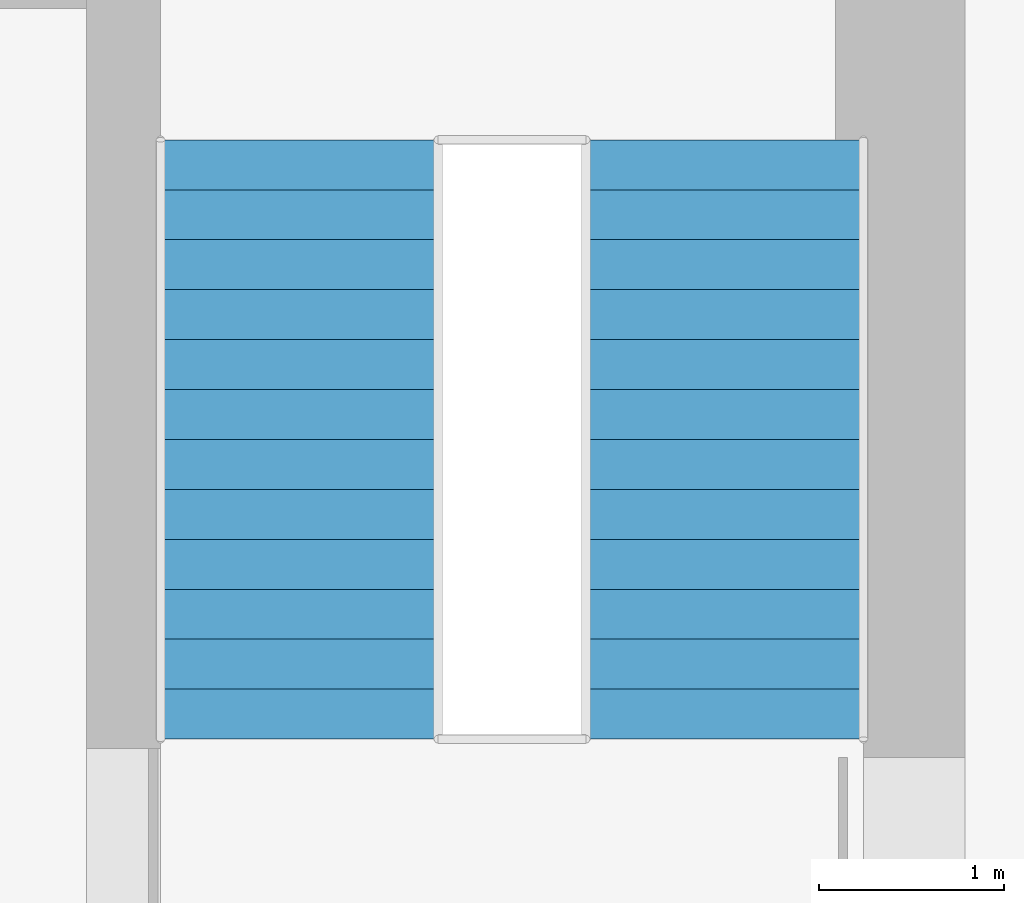
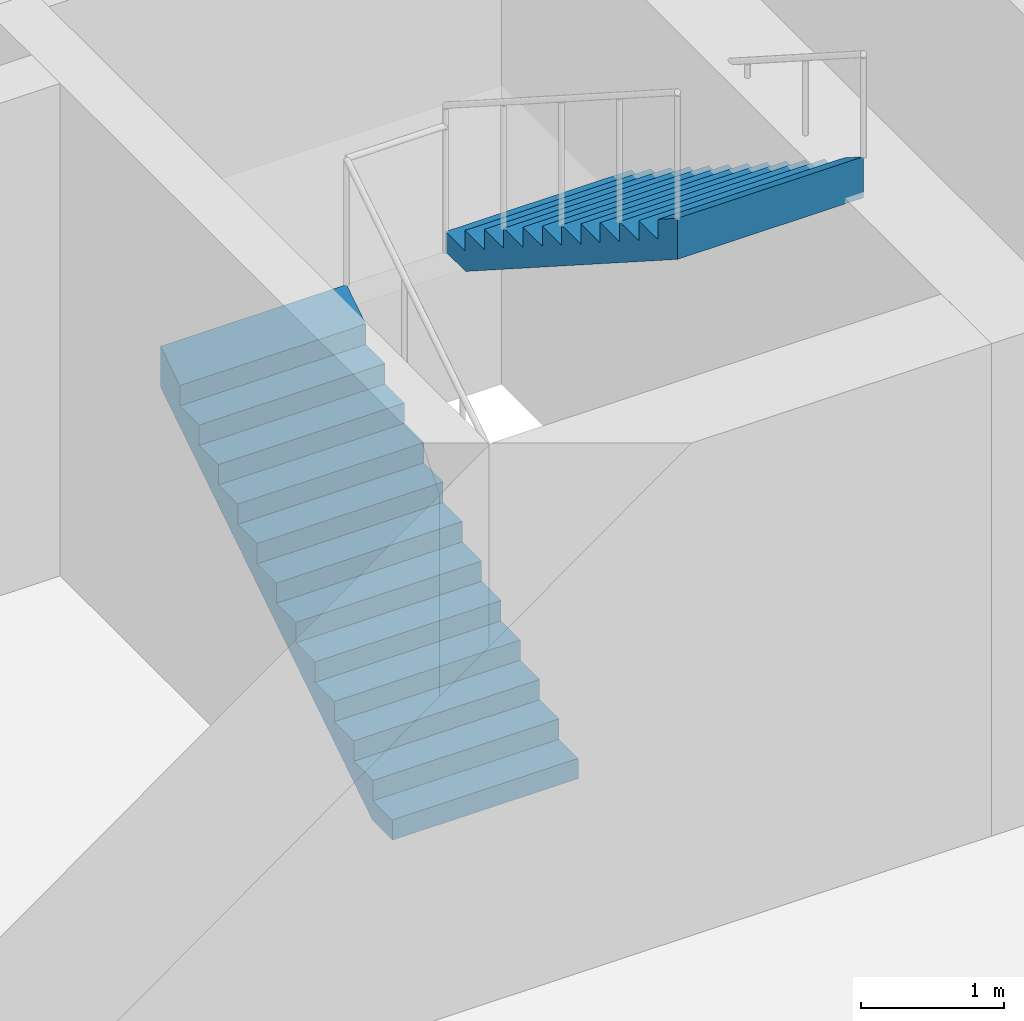
# One storey, part 6 of 9: 2 stair flights, 1 element without a shape of its own.
"""IFC4 building model written with IfcOpenShell, lengths in metres."""

from ifc_helpers import new_model, si_unit, direction, frame, origin, place, context, subcontext, project, spatial, triangles, material, type_object, element, aggregate, save


model = new_model("IFC4")

# Units and contexts
model_context = context("Model", 3, precision=1e-05, world=origin(), true_north=direction((0.0, 1.0)))
body_context = subcontext(model_context, "Body", "Model", "MODEL_VIEW")
ifc_project = project(units=[si_unit("LENGTHUNIT", "METRE"), si_unit("AREAUNIT", "SQUARE_METRE"), si_unit("VOLUMEUNIT", "CUBIC_METRE"), si_unit("PLANEANGLEUNIT", "RADIAN"), si_unit("MASSUNIT", "GRAM", prefix="KILO")], contexts=[model_context])

# Site, building, storey
site_placement = place(None, origin())
site = spatial("IfcSite", under=ifc_project, at=site_placement, CompositionType="ELEMENT")
building_placement = place(site_placement, origin())
building = spatial("IfcBuilding", under=site, at=building_placement, Name="Ludao Terraces", CompositionType="ELEMENT")
storey_placement = place(building_placement, frame((0.0, 0.0, 95.39990234375)))
storey = spatial("IfcBuildingStorey", under=building, at=storey_placement, Name="L26", CompositionType="ELEMENT", Elevation=95.39990234375)

# Stair, stair flights
ifc_material = material(Name="Concrete C40", Category="concrete")
stair_type = type_object("IfcStairType", Name="INT Stair", PredefinedType="HALF_TURN_STAIR", material=ifc_material)
stair_placement = place(storey_placement, origin())
stair = element("IfcStair", 1, at=stair_placement, inside=storey, type_object=stair_type, Name="EXIT STAIR 3", PredefinedType="HALF_TURN_STAIR")
stair_flight_type = type_object("IfcStairFlightType", Name="INT Stair flight", PredefinedType="STRAIGHT", material=ifc_material)
stair_flight_1_placement = place(storey_placement, frame((91.5, 56.949951171875, 0.0), z_axis=(0.0, 0.0, 1.0), x_axis=(0.0, 1.0, 0.0)))
stair_flight_1 = element("IfcStairFlight", 2, at=stair_flight_1_placement, type_object=stair_flight_type, Name="ST3 flight 1", NumberOfRisers=13, NumberOfTreads=12, PredefinedType="STRAIGHT", RiserHeight=0.173077, TreadLength=0.27, context=body_context, shape_type="Tessellation", body=[
    triangles([(0.0, -0.75, 0.0), (0.0, -0.5, 0.0), (0.0, -0.25, 0.0), (0.0, 0.0, 0.0), (0.0, 0.25, 0.0), (0.0, 0.5, 0.0), (0.0, 0.75, 0.0), (0.0, -0.75, 0.173095703125), (0.0, -0.5, 0.173095703125), (0.0, -0.25, 0.173095703125), (0.0, 0.0, 0.173095703125), (0.0, 0.25, 0.173095703125), (0.0, 0.5, 0.173095703125), (0.0, 0.75, 0.173095703125), (0.27001953125, -0.75, 0.173095703125), (0.27001953125, -0.5, 0.173095703125), (0.27001953125, -0.25, 0.173095703125), (0.27001953125, 0.0, 0.173095703125), (0.27001953125, 0.25, 0.173095703125), (0.27001953125, 0.5, 0.173095703125), (0.27001953125, 0.75, 0.173095703125), (0.27001953125, -0.75, 0.34619140625), (0.27001953125, -0.5, 0.34619140625), (0.27001953125, -0.25, 0.34619140625), (0.27001953125, 0.0, 0.34619140625), (0.27001953125, 0.25, 0.34619140625), (0.27001953125, 0.5, 0.34619140625), (0.27001953125, 0.75, 0.34619140625), (0.5400390625, -0.75, 0.34619140625), (0.5400390625, -0.5, 0.34619140625), (0.5400390625, -0.25, 0.34619140625), (0.5400390625, 0.0, 0.34619140625), (0.5400390625, 0.25, 0.34619140625), (0.5400390625, 0.5, 0.34619140625), (0.5400390625, 0.75, 0.34619140625), (0.5400390625, -0.75, 0.519287109375), (0.5400390625, -0.5, 0.519287109375), (0.5400390625, -0.25, 0.519287109375), (0.5400390625, 0.0, 0.519287109375), (0.5400390625, 0.25, 0.519287109375), (0.5400390625, 0.5, 0.519287109375), (0.5400390625, 0.75, 0.519287109375), (0.81005859375, -0.75, 0.519287109375), (0.81005859375, -0.5, 0.519287109375), (0.81005859375, -0.25, 0.519287109375), (0.81005859375, 0.0, 0.519287109375), (0.81005859375, 0.25, 0.519287109375), (0.81005859375, 0.5, 0.519287109375), (0.81005859375, 0.75, 0.519287109375), (0.81005859375, -0.75, 0.6923828125), (0.81005859375, -0.5, 0.6923828125), (0.81005859375, -0.25, 0.6923828125), (0.81005859375, 0.0, 0.6923828125), (0.81005859375, 0.25, 0.6923828125), (0.81005859375, 0.5, 0.6923828125), (0.81005859375, 0.75, 0.6923828125), (1.080078125, -0.75, 0.6923828125), (1.080078125, -0.5, 0.6923828125), (1.080078125, -0.25, 0.6923828125), (1.080078125, 0.0, 0.6923828125), (1.080078125, 0.25, 0.6923828125), (1.080078125, 0.5, 0.6923828125), (1.080078125, 0.75, 0.6923828125), (1.080078125, -0.75, 0.865478515625), (1.080078125, -0.5, 0.865478515625), (1.080078125, -0.25, 0.865478515625), (1.080078125, 0.0, 0.865478515625), (1.080078125, 0.25, 0.865478515625), (1.080078125, 0.5, 0.865478515625), (1.080078125, 0.75, 0.865478515625), (1.35009765625, -0.75, 0.865478515625), (1.35009765625, -0.5, 0.865478515625), (1.35009765625, -0.25, 0.865478515625), (1.35009765625, 0.0, 0.865478515625), (1.35009765625, 0.25, 0.865478515625), (1.35009765625, 0.5, 0.865478515625), (1.35009765625, 0.75, 0.865478515625), (1.35009765625, -0.75, 1.03857421875), (1.35009765625, -0.5, 1.03857421875), (1.35009765625, -0.25, 1.03857421875), (1.35009765625, 0.0, 1.03857421875), (1.35009765625, 0.25, 1.03857421875), (1.35009765625, 0.5, 1.03857421875), (1.35009765625, 0.75, 1.03857421875), (1.6201171875, -0.75, 1.03857421875), (1.6201171875, -0.5, 1.03857421875), (1.6201171875, -0.25, 1.03857421875), (1.6201171875, 0.0, 1.03857421875), (1.6201171875, 0.25, 1.03857421875), (1.6201171875, 0.5, 1.03857421875), (1.6201171875, 0.75, 1.03857421875), (1.6201171875, -0.75, 1.21142578125), (1.6201171875, -0.5, 1.21142578125), (1.6201171875, -0.25, 1.21142578125), (1.6201171875, 0.0, 1.21142578125), (1.6201171875, 0.25, 1.21142578125), (1.6201171875, 0.5, 1.21142578125), (1.6201171875, 0.75, 1.21142578125), (1.889892578125, -0.75, 1.21142578125), (1.889892578125, -0.5, 1.21142578125), (1.889892578125, -0.25, 1.21142578125), (1.889892578125, 0.0, 1.21142578125), (1.889892578125, 0.25, 1.21142578125), (1.889892578125, 0.5, 1.21142578125), (1.889892578125, 0.75, 1.21142578125), (1.889892578125, -0.75, 1.384521484375), (1.889892578125, -0.5, 1.384521484375), (1.889892578125, -0.25, 1.384521484375), (1.889892578125, 0.0, 1.384521484375), (1.889892578125, 0.25, 1.384521484375), (1.889892578125, 0.5, 1.384521484375), (1.889892578125, 0.75, 1.384521484375), (2.159912109375, -0.75, 1.384521484375), (2.159912109375, -0.5, 1.384521484375), (2.159912109375, -0.25, 1.384521484375), (2.159912109375, 0.0, 1.384521484375), (2.159912109375, 0.25, 1.384521484375), (2.159912109375, 0.5, 1.384521484375), (2.159912109375, 0.75, 1.384521484375), (2.159912109375, -0.75, 1.5576171875), (2.159912109375, -0.5, 1.5576171875), (2.159912109375, -0.25, 1.5576171875), (2.159912109375, 0.0, 1.5576171875), (2.159912109375, 0.25, 1.5576171875), (2.159912109375, 0.5, 1.5576171875), (2.159912109375, 0.75, 1.5576171875), (2.429931640625, -0.75, 1.5576171875), (2.429931640625, -0.5, 1.5576171875), (2.429931640625, -0.25, 1.5576171875), (2.429931640625, 0.0, 1.5576171875), (2.429931640625, 0.25, 1.5576171875), (2.429931640625, 0.5, 1.5576171875), (2.429931640625, 0.75, 1.5576171875), (2.429931640625, -0.75, 1.730712890625), (2.429931640625, -0.5, 1.730712890625), (2.429931640625, -0.25, 1.730712890625), (2.429931640625, 0.0, 1.730712890625), (2.429931640625, 0.25, 1.730712890625), (2.429931640625, 0.5, 1.730712890625), (2.429931640625, 0.75, 1.730712890625), (2.699951171875, -0.75, 1.730712890625), (2.699951171875, -0.5, 1.730712890625), (2.699951171875, -0.25, 1.730712890625), (2.699951171875, 0.0, 1.730712890625), (2.699951171875, 0.25, 1.730712890625), (2.699951171875, 0.5, 1.730712890625), (2.699951171875, 0.75, 1.730712890625), (2.699951171875, -0.75, 1.90380859375), (2.699951171875, -0.5, 1.90380859375), (2.699951171875, -0.25, 1.90380859375), (2.699951171875, 0.0, 1.90380859375), (2.699951171875, 0.25, 1.90380859375), (2.699951171875, 0.5, 1.90380859375), (2.699951171875, 0.75, 1.90380859375), (2.969970703125, -0.75, 1.90380859375), (2.969970703125, -0.5, 1.90380859375), (2.969970703125, -0.25, 1.90380859375), (2.969970703125, 0.0, 1.90380859375), (2.969970703125, 0.25, 1.90380859375), (2.969970703125, 0.5, 1.90380859375), (2.969970703125, 0.75, 1.90380859375), (2.969970703125, -0.75, 2.076904296875), (2.969970703125, -0.5, 2.076904296875), (2.969970703125, -0.25, 2.076904296875), (2.969970703125, 0.0, 2.076904296875), (2.969970703125, 0.25, 2.076904296875), (2.969970703125, 0.5, 2.076904296875), (2.969970703125, 0.75, 2.076904296875), (3.239990234375, -0.75, 2.25), (3.239990234375, -0.5, 2.25), (3.239990234375, -0.25, 2.25), (3.239990234375, 0.0, 2.25), (3.239990234375, 0.25, 2.25), (3.239990234375, 0.5, 2.25), (3.239990234375, 0.75, 2.25), (3.239990234375, -0.75, 1.89892578125), (3.239990234375, -0.5, 1.89892578125), (3.239990234375, -0.25, 1.89892578125), (3.239990234375, 0.0, 1.89892578125), (3.239990234375, 0.25, 1.89892578125), (3.239990234375, 0.5, 1.89892578125), (3.239990234375, 0.75, 1.89892578125), (0.27783203125, -0.75, 0.0), (0.27783203125, -0.5, 0.0), (0.27783203125, -0.25, 0.0), (0.27783203125, 0.0, 0.0), (0.27783203125, 0.25, 0.0), (0.27783203125, 0.5, 0.0), (0.27783203125, 0.75, 0.0)], [[1, 183, 176], [7, 182, 189], [176, 169, 162], [182, 168, 175], [176, 162, 155], [182, 161, 168], [176, 155, 148], [182, 154, 161], [176, 148, 141], [182, 147, 154], [141, 134, 127], [147, 133, 140], [176, 141, 127], [182, 133, 147], [127, 120, 113], [133, 119, 126], [176, 127, 113], [182, 119, 133], [113, 106, 99], [119, 105, 112], [176, 113, 99], [182, 105, 119], [1, 176, 99], [7, 105, 182], [99, 92, 85], [105, 91, 98], [85, 78, 71], [91, 77, 84], [99, 85, 71], [105, 77, 91], [71, 64, 57], [77, 63, 70], [99, 71, 57], [105, 63, 77], [57, 50, 43], [63, 49, 56], [99, 57, 43], [105, 49, 63], [43, 36, 29], [49, 35, 42], [99, 43, 29], [105, 35, 49], [29, 22, 15], [35, 21, 28], [99, 29, 15], [105, 21, 35], [1, 99, 15], [7, 21, 105], [15, 8, 1], [21, 7, 14], [1, 9, 2], [1, 8, 9], [2, 10, 3], [2, 9, 10], [3, 11, 4], [3, 10, 11], [4, 12, 5], [4, 11, 12], [5, 13, 6], [5, 12, 13], [6, 14, 7], [6, 13, 14], [8, 16, 9], [8, 15, 16], [9, 17, 10], [9, 16, 17], [10, 18, 11], [10, 17, 18], [11, 19, 12], [11, 18, 19], [12, 20, 13], [12, 19, 20], [13, 21, 14], [13, 20, 21], [15, 23, 16], [15, 22, 23], [16, 24, 17], [16, 23, 24], [17, 25, 18], [17, 24, 25], [18, 26, 19], [18, 25, 26], [19, 27, 20], [19, 26, 27], [20, 28, 21], [20, 27, 28], [22, 30, 23], [22, 29, 30], [23, 31, 24], [23, 30, 31], [24, 32, 25], [24, 31, 32], [25, 33, 26], [25, 32, 33], [26, 34, 27], [26, 33, 34], [27, 35, 28], [27, 34, 35], [29, 37, 30], [29, 36, 37], [30, 38, 31], [30, 37, 38], [31, 39, 32], [31, 38, 39], [32, 40, 33], [32, 39, 40], [33, 41, 34], [33, 40, 41], [34, 42, 35], [34, 41, 42], [36, 44, 37], [36, 43, 44], [37, 45, 38], [37, 44, 45], [38, 46, 39], [38, 45, 46], [39, 47, 40], [39, 46, 47], [40, 48, 41], [40, 47, 48], [41, 49, 42], [41, 48, 49], [43, 51, 44], [43, 50, 51], [44, 52, 45], [44, 51, 52], [45, 53, 46], [45, 52, 53], [46, 54, 47], [46, 53, 54], [47, 55, 48], [47, 54, 55], [48, 56, 49], [48, 55, 56], [50, 58, 51], [50, 57, 58], [51, 59, 52], [51, 58, 59], [52, 60, 53], [52, 59, 60], [53, 61, 54], [53, 60, 61], [54, 62, 55], [54, 61, 62], [55, 63, 56], [55, 62, 63], [57, 65, 58], [57, 64, 65], [58, 66, 59], [58, 65, 66], [59, 67, 60], [59, 66, 67], [60, 68, 61], [60, 67, 68], [61, 69, 62], [61, 68, 69], [62, 70, 63], [62, 69, 70], [64, 72, 65], [64, 71, 72], [65, 73, 66], [65, 72, 73], [66, 74, 67], [66, 73, 74], [67, 75, 68], [67, 74, 75], [68, 76, 69], [68, 75, 76], [69, 77, 70], [69, 76, 77], [71, 79, 72], [71, 78, 79], [72, 80, 73], [72, 79, 80], [73, 81, 74], [73, 80, 81], [74, 82, 75], [74, 81, 82], [75, 83, 76], [75, 82, 83], [76, 84, 77], [76, 83, 84], [78, 86, 79], [78, 85, 86], [79, 87, 80], [79, 86, 87], [80, 88, 81], [80, 87, 88], [81, 89, 82], [81, 88, 89], [82, 90, 83], [82, 89, 90], [83, 91, 84], [83, 90, 91], [85, 93, 86], [85, 92, 93], [86, 94, 87], [86, 93, 94], [87, 95, 88], [87, 94, 95], [88, 96, 89], [88, 95, 96], [89, 97, 90], [89, 96, 97], [90, 98, 91], [90, 97, 98], [92, 100, 93], [92, 99, 100], [93, 101, 94], [93, 100, 101], [94, 102, 95], [94, 101, 102], [95, 103, 96], [95, 102, 103], [96, 104, 97], [96, 103, 104], [97, 105, 98], [97, 104, 105], [99, 107, 100], [99, 106, 107], [100, 108, 101], [100, 107, 108], [101, 109, 102], [101, 108, 109], [102, 110, 103], [102, 109, 110], [103, 111, 104], [103, 110, 111], [104, 112, 105], [104, 111, 112], [106, 114, 107], [106, 113, 114], [107, 115, 108], [107, 114, 115], [108, 116, 109], [108, 115, 116], [109, 117, 110], [109, 116, 117], [110, 118, 111], [110, 117, 118], [111, 119, 112], [111, 118, 119], [113, 121, 114], [113, 120, 121], [114, 122, 115], [114, 121, 122], [115, 123, 116], [115, 122, 123], [116, 124, 117], [116, 123, 124], [117, 125, 118], [117, 124, 125], [118, 126, 119], [118, 125, 126], [120, 128, 121], [120, 127, 128], [121, 129, 122], [121, 128, 129], [122, 130, 123], [122, 129, 130], [123, 131, 124], [123, 130, 131], [124, 132, 125], [124, 131, 132], [125, 133, 126], [125, 132, 133], [127, 135, 128], [127, 134, 135], [128, 136, 129], [128, 135, 136], [129, 137, 130], [129, 136, 137], [130, 138, 131], [130, 137, 138], [131, 139, 132], [131, 138, 139], [132, 140, 133], [132, 139, 140], [134, 142, 135], [134, 141, 142], [135, 143, 136], [135, 142, 143], [136, 144, 137], [136, 143, 144], [137, 145, 138], [137, 144, 145], [138, 146, 139], [138, 145, 146], [139, 147, 140], [139, 146, 147], [141, 149, 142], [141, 148, 149], [142, 150, 143], [142, 149, 150], [143, 151, 144], [143, 150, 151], [144, 152, 145], [144, 151, 152], [145, 153, 146], [145, 152, 153], [146, 154, 147], [146, 153, 154], [148, 156, 149], [148, 155, 156], [149, 157, 150], [149, 156, 157], [150, 158, 151], [150, 157, 158], [151, 159, 152], [151, 158, 159], [152, 160, 153], [152, 159, 160], [153, 161, 154], [153, 160, 161], [155, 163, 156], [155, 162, 163], [156, 164, 157], [156, 163, 164], [157, 165, 158], [157, 164, 165], [158, 166, 159], [158, 165, 166], [159, 167, 160], [159, 166, 167], [160, 168, 161], [160, 167, 168], [162, 170, 163], [162, 169, 170], [163, 171, 164], [163, 170, 171], [164, 172, 165], [164, 171, 172], [165, 173, 166], [165, 172, 173], [166, 174, 167], [166, 173, 174], [167, 175, 168], [167, 174, 175], [169, 177, 170], [169, 176, 177], [170, 178, 171], [170, 177, 178], [171, 179, 172], [171, 178, 179], [172, 180, 173], [172, 179, 180], [173, 181, 174], [173, 180, 181], [174, 182, 175], [174, 181, 182], [176, 184, 177], [176, 183, 184], [177, 185, 178], [177, 184, 185], [178, 186, 179], [178, 185, 186], [179, 187, 180], [179, 186, 187], [180, 188, 181], [180, 187, 188], [181, 189, 182], [181, 188, 189], [183, 2, 184], [183, 1, 2], [184, 3, 185], [184, 2, 3], [185, 4, 186], [185, 3, 4], [186, 5, 187], [186, 4, 5], [187, 6, 188], [187, 5, 6], [188, 7, 189], [188, 6, 7]], closed=True),
])
stair_flight_2_placement = place(storey_placement, frame((93.800048828125, 60.18994140625, 2.25), z_axis=(0.0, 0.0, 1.0), x_axis=(0.0, -1.0, 0.0)))
stair_flight_2 = element("IfcStairFlight", 3, at=stair_flight_2_placement, type_object=stair_flight_type, Name="ST3 flight 2", NumberOfRisers=13, NumberOfTreads=12, PredefinedType="STRAIGHT", RiserHeight=0.173077, TreadLength=0.27, context=body_context, shape_type="Tessellation", body=[
    triangles([(0.0, -0.75, 0.0), (0.0, -0.5, 0.0), (0.0, -0.25, 0.0), (0.0, 0.0, 0.0), (0.0, 0.25, 0.0), (0.0, 0.5, 0.0), (0.0, 0.75, 0.0), (0.0, -0.75, 0.173095703125), (0.0, -0.5, 0.173095703125), (0.0, -0.25, 0.173095703125), (0.0, 0.0, 0.173095703125), (0.0, 0.25, 0.173095703125), (0.0, 0.5, 0.173095703125), (0.0, 0.75, 0.173095703125), (0.27001953125, -0.75, 0.173095703125), (0.27001953125, -0.5, 0.173095703125), (0.27001953125, -0.25, 0.173095703125), (0.27001953125, 0.0, 0.173095703125), (0.27001953125, 0.25, 0.173095703125), (0.27001953125, 0.5, 0.173095703125), (0.27001953125, 0.75, 0.173095703125), (0.27001953125, -0.75, 0.34619140625), (0.27001953125, -0.5, 0.34619140625), (0.27001953125, -0.25, 0.34619140625), (0.27001953125, 0.0, 0.34619140625), (0.27001953125, 0.25, 0.34619140625), (0.27001953125, 0.5, 0.34619140625), (0.27001953125, 0.75, 0.34619140625), (0.5400390625, -0.75, 0.34619140625), (0.5400390625, -0.5, 0.34619140625), (0.5400390625, -0.25, 0.34619140625), (0.5400390625, 0.0, 0.34619140625), (0.5400390625, 0.25, 0.34619140625), (0.5400390625, 0.5, 0.34619140625), (0.5400390625, 0.75, 0.34619140625), (0.5400390625, -0.75, 0.519287109375), (0.5400390625, -0.5, 0.519287109375), (0.5400390625, -0.25, 0.519287109375), (0.5400390625, 0.0, 0.519287109375), (0.5400390625, 0.25, 0.519287109375), (0.5400390625, 0.5, 0.519287109375), (0.5400390625, 0.75, 0.519287109375), (0.81005859375, -0.75, 0.519287109375), (0.81005859375, -0.5, 0.519287109375), (0.81005859375, -0.25, 0.519287109375), (0.81005859375, 0.0, 0.519287109375), (0.81005859375, 0.25, 0.519287109375), (0.81005859375, 0.5, 0.519287109375), (0.81005859375, 0.75, 0.519287109375), (0.81005859375, -0.75, 0.6923828125), (0.81005859375, -0.5, 0.6923828125), (0.81005859375, -0.25, 0.6923828125), (0.81005859375, 0.0, 0.6923828125), (0.81005859375, 0.25, 0.6923828125), (0.81005859375, 0.5, 0.6923828125), (0.81005859375, 0.75, 0.6923828125), (1.080078125, -0.75, 0.6923828125), (1.080078125, -0.5, 0.6923828125), (1.080078125, -0.25, 0.6923828125), (1.080078125, 0.0, 0.6923828125), (1.080078125, 0.25, 0.6923828125), (1.080078125, 0.5, 0.6923828125), (1.080078125, 0.75, 0.6923828125), (1.080078125, -0.75, 0.865478515625), (1.080078125, -0.5, 0.865478515625), (1.080078125, -0.25, 0.865478515625), (1.080078125, 0.0, 0.865478515625), (1.080078125, 0.25, 0.865478515625), (1.080078125, 0.5, 0.865478515625), (1.080078125, 0.75, 0.865478515625), (1.35009765625, -0.75, 0.865478515625), (1.35009765625, -0.5, 0.865478515625), (1.35009765625, -0.25, 0.865478515625), (1.35009765625, 0.0, 0.865478515625), (1.35009765625, 0.25, 0.865478515625), (1.35009765625, 0.5, 0.865478515625), (1.35009765625, 0.75, 0.865478515625), (1.35009765625, -0.75, 1.03857421875), (1.35009765625, -0.5, 1.03857421875), (1.35009765625, -0.25, 1.03857421875), (1.35009765625, 0.0, 1.03857421875), (1.35009765625, 0.25, 1.03857421875), (1.35009765625, 0.5, 1.03857421875), (1.35009765625, 0.75, 1.03857421875), (1.6201171875, -0.75, 1.03857421875), (1.6201171875, -0.5, 1.03857421875), (1.6201171875, -0.25, 1.03857421875), (1.6201171875, 0.0, 1.03857421875), (1.6201171875, 0.25, 1.03857421875), (1.6201171875, 0.5, 1.03857421875), (1.6201171875, 0.75, 1.03857421875), (1.6201171875, -0.75, 1.21142578125), (1.6201171875, -0.5, 1.21142578125), (1.6201171875, -0.25, 1.21142578125), (1.6201171875, 0.0, 1.21142578125), (1.6201171875, 0.25, 1.21142578125), (1.6201171875, 0.5, 1.21142578125), (1.6201171875, 0.75, 1.21142578125), (1.889892578125, -0.75, 1.21142578125), (1.889892578125, -0.5, 1.21142578125), (1.889892578125, -0.25, 1.21142578125), (1.889892578125, 0.0, 1.21142578125), (1.889892578125, 0.25, 1.21142578125), (1.889892578125, 0.5, 1.21142578125), (1.889892578125, 0.75, 1.21142578125), (1.889892578125, -0.75, 1.384521484375), (1.889892578125, -0.5, 1.384521484375), (1.889892578125, -0.25, 1.384521484375), (1.889892578125, 0.0, 1.384521484375), (1.889892578125, 0.25, 1.384521484375), (1.889892578125, 0.5, 1.384521484375), (1.889892578125, 0.75, 1.384521484375), (2.159912109375, -0.75, 1.384521484375), (2.159912109375, -0.5, 1.384521484375), (2.159912109375, -0.25, 1.384521484375), (2.159912109375, 0.0, 1.384521484375), (2.159912109375, 0.25, 1.384521484375), (2.159912109375, 0.5, 1.384521484375), (2.159912109375, 0.75, 1.384521484375), (2.159912109375, -0.75, 1.5576171875), (2.159912109375, -0.5, 1.5576171875), (2.159912109375, -0.25, 1.5576171875), (2.159912109375, 0.0, 1.5576171875), (2.159912109375, 0.25, 1.5576171875), (2.159912109375, 0.5, 1.5576171875), (2.159912109375, 0.75, 1.5576171875), (2.429931640625, -0.75, 1.5576171875), (2.429931640625, -0.5, 1.5576171875), (2.429931640625, -0.25, 1.5576171875), (2.429931640625, 0.0, 1.5576171875), (2.429931640625, 0.25, 1.5576171875), (2.429931640625, 0.5, 1.5576171875), (2.429931640625, 0.75, 1.5576171875), (2.429931640625, -0.75, 1.730712890625), (2.429931640625, -0.5, 1.730712890625), (2.429931640625, -0.25, 1.730712890625), (2.429931640625, 0.0, 1.730712890625), (2.429931640625, 0.25, 1.730712890625), (2.429931640625, 0.5, 1.730712890625), (2.429931640625, 0.75, 1.730712890625), (2.699951171875, -0.75, 1.730712890625), (2.699951171875, -0.5, 1.730712890625), (2.699951171875, -0.25, 1.730712890625), (2.699951171875, 0.0, 1.730712890625), (2.699951171875, 0.25, 1.730712890625), (2.699951171875, 0.5, 1.730712890625), (2.699951171875, 0.75, 1.730712890625), (2.699951171875, -0.75, 1.90380859375), (2.699951171875, -0.5, 1.90380859375), (2.699951171875, -0.25, 1.90380859375), (2.699951171875, 0.0, 1.90380859375), (2.699951171875, 0.25, 1.90380859375), (2.699951171875, 0.5, 1.90380859375), (2.699951171875, 0.75, 1.90380859375), (2.969970703125, -0.75, 1.90380859375), (2.969970703125, -0.5, 1.90380859375), (2.969970703125, -0.25, 1.90380859375), (2.969970703125, 0.0, 1.90380859375), (2.969970703125, 0.25, 1.90380859375), (2.969970703125, 0.5, 1.90380859375), (2.969970703125, 0.75, 1.90380859375), (2.969970703125, -0.75, 2.076904296875), (2.969970703125, -0.5, 2.076904296875), (2.969970703125, -0.25, 2.076904296875), (2.969970703125, 0.0, 2.076904296875), (2.969970703125, 0.25, 2.076904296875), (2.969970703125, 0.5, 2.076904296875), (2.969970703125, 0.75, 2.076904296875), (3.239990234375, -0.75, 2.25), (3.239990234375, -0.5, 2.25), (3.239990234375, -0.25, 2.25), (3.239990234375, 0.0, 2.25), (3.239990234375, 0.25, 2.25), (3.239990234375, 0.5, 2.25), (3.239990234375, 0.75, 2.25), (3.239990234375, -0.75, 1.89892578125), (3.239990234375, -0.5, 1.89892578125), (3.239990234375, -0.25, 1.89892578125), (3.239990234375, 0.0, 1.89892578125), (3.239990234375, 0.25, 1.89892578125), (3.239990234375, 0.5, 1.89892578125), (3.239990234375, 0.75, 1.89892578125), (0.27783203125, -0.75, 0.0), (0.27783203125, -0.5, 0.0), (0.27783203125, -0.25, 0.0), (0.27783203125, 0.0, 0.0), (0.27783203125, 0.25, 0.0), (0.27783203125, 0.5, 0.0), (0.27783203125, 0.75, 0.0)], [[1, 183, 176], [7, 182, 189], [176, 169, 162], [182, 168, 175], [176, 162, 155], [182, 161, 168], [176, 155, 148], [182, 154, 161], [176, 148, 141], [182, 147, 154], [141, 134, 127], [147, 133, 140], [176, 141, 127], [182, 133, 147], [127, 120, 113], [133, 119, 126], [176, 127, 113], [182, 119, 133], [113, 106, 99], [119, 105, 112], [176, 113, 99], [182, 105, 119], [1, 176, 99], [7, 105, 182], [99, 92, 85], [105, 91, 98], [85, 78, 71], [91, 77, 84], [99, 85, 71], [105, 77, 91], [71, 64, 57], [77, 63, 70], [99, 71, 57], [105, 63, 77], [57, 50, 43], [63, 49, 56], [99, 57, 43], [105, 49, 63], [43, 36, 29], [49, 35, 42], [99, 43, 29], [105, 35, 49], [29, 22, 15], [35, 21, 28], [99, 29, 15], [105, 21, 35], [1, 99, 15], [7, 21, 105], [15, 8, 1], [21, 7, 14], [1, 9, 2], [1, 8, 9], [2, 10, 3], [2, 9, 10], [3, 11, 4], [3, 10, 11], [4, 12, 5], [4, 11, 12], [5, 13, 6], [5, 12, 13], [6, 14, 7], [6, 13, 14], [8, 16, 9], [8, 15, 16], [9, 17, 10], [9, 16, 17], [10, 18, 11], [10, 17, 18], [11, 19, 12], [11, 18, 19], [12, 20, 13], [12, 19, 20], [13, 21, 14], [13, 20, 21], [15, 23, 16], [15, 22, 23], [16, 24, 17], [16, 23, 24], [17, 25, 18], [17, 24, 25], [18, 26, 19], [18, 25, 26], [19, 27, 20], [19, 26, 27], [20, 28, 21], [20, 27, 28], [22, 30, 23], [22, 29, 30], [23, 31, 24], [23, 30, 31], [24, 32, 25], [24, 31, 32], [25, 33, 26], [25, 32, 33], [26, 34, 27], [26, 33, 34], [27, 35, 28], [27, 34, 35], [29, 37, 30], [29, 36, 37], [30, 38, 31], [30, 37, 38], [31, 39, 32], [31, 38, 39], [32, 40, 33], [32, 39, 40], [33, 41, 34], [33, 40, 41], [34, 42, 35], [34, 41, 42], [36, 44, 37], [36, 43, 44], [37, 45, 38], [37, 44, 45], [38, 46, 39], [38, 45, 46], [39, 47, 40], [39, 46, 47], [40, 48, 41], [40, 47, 48], [41, 49, 42], [41, 48, 49], [43, 51, 44], [43, 50, 51], [44, 52, 45], [44, 51, 52], [45, 53, 46], [45, 52, 53], [46, 54, 47], [46, 53, 54], [47, 55, 48], [47, 54, 55], [48, 56, 49], [48, 55, 56], [50, 58, 51], [50, 57, 58], [51, 59, 52], [51, 58, 59], [52, 60, 53], [52, 59, 60], [53, 61, 54], [53, 60, 61], [54, 62, 55], [54, 61, 62], [55, 63, 56], [55, 62, 63], [57, 65, 58], [57, 64, 65], [58, 66, 59], [58, 65, 66], [59, 67, 60], [59, 66, 67], [60, 68, 61], [60, 67, 68], [61, 69, 62], [61, 68, 69], [62, 70, 63], [62, 69, 70], [64, 72, 65], [64, 71, 72], [65, 73, 66], [65, 72, 73], [66, 74, 67], [66, 73, 74], [67, 75, 68], [67, 74, 75], [68, 76, 69], [68, 75, 76], [69, 77, 70], [69, 76, 77], [71, 79, 72], [71, 78, 79], [72, 80, 73], [72, 79, 80], [73, 81, 74], [73, 80, 81], [74, 82, 75], [74, 81, 82], [75, 83, 76], [75, 82, 83], [76, 84, 77], [76, 83, 84], [78, 86, 79], [78, 85, 86], [79, 87, 80], [79, 86, 87], [80, 88, 81], [80, 87, 88], [81, 89, 82], [81, 88, 89], [82, 90, 83], [82, 89, 90], [83, 91, 84], [83, 90, 91], [85, 93, 86], [85, 92, 93], [86, 94, 87], [86, 93, 94], [87, 95, 88], [87, 94, 95], [88, 96, 89], [88, 95, 96], [89, 97, 90], [89, 96, 97], [90, 98, 91], [90, 97, 98], [92, 100, 93], [92, 99, 100], [93, 101, 94], [93, 100, 101], [94, 102, 95], [94, 101, 102], [95, 103, 96], [95, 102, 103], [96, 104, 97], [96, 103, 104], [97, 105, 98], [97, 104, 105], [99, 107, 100], [99, 106, 107], [100, 108, 101], [100, 107, 108], [101, 109, 102], [101, 108, 109], [102, 110, 103], [102, 109, 110], [103, 111, 104], [103, 110, 111], [104, 112, 105], [104, 111, 112], [106, 114, 107], [106, 113, 114], [107, 115, 108], [107, 114, 115], [108, 116, 109], [108, 115, 116], [109, 117, 110], [109, 116, 117], [110, 118, 111], [110, 117, 118], [111, 119, 112], [111, 118, 119], [113, 121, 114], [113, 120, 121], [114, 122, 115], [114, 121, 122], [115, 123, 116], [115, 122, 123], [116, 124, 117], [116, 123, 124], [117, 125, 118], [117, 124, 125], [118, 126, 119], [118, 125, 126], [120, 128, 121], [120, 127, 128], [121, 129, 122], [121, 128, 129], [122, 130, 123], [122, 129, 130], [123, 131, 124], [123, 130, 131], [124, 132, 125], [124, 131, 132], [125, 133, 126], [125, 132, 133], [127, 135, 128], [127, 134, 135], [128, 136, 129], [128, 135, 136], [129, 137, 130], [129, 136, 137], [130, 138, 131], [130, 137, 138], [131, 139, 132], [131, 138, 139], [132, 140, 133], [132, 139, 140], [134, 142, 135], [134, 141, 142], [135, 143, 136], [135, 142, 143], [136, 144, 137], [136, 143, 144], [137, 145, 138], [137, 144, 145], [138, 146, 139], [138, 145, 146], [139, 147, 140], [139, 146, 147], [141, 149, 142], [141, 148, 149], [142, 150, 143], [142, 149, 150], [143, 151, 144], [143, 150, 151], [144, 152, 145], [144, 151, 152], [145, 153, 146], [145, 152, 153], [146, 154, 147], [146, 153, 154], [148, 156, 149], [148, 155, 156], [149, 157, 150], [149, 156, 157], [150, 158, 151], [150, 157, 158], [151, 159, 152], [151, 158, 159], [152, 160, 153], [152, 159, 160], [153, 161, 154], [153, 160, 161], [155, 163, 156], [155, 162, 163], [156, 164, 157], [156, 163, 164], [157, 165, 158], [157, 164, 165], [158, 166, 159], [158, 165, 166], [159, 167, 160], [159, 166, 167], [160, 168, 161], [160, 167, 168], [162, 170, 163], [162, 169, 170], [163, 171, 164], [163, 170, 171], [164, 172, 165], [164, 171, 172], [165, 173, 166], [165, 172, 173], [166, 174, 167], [166, 173, 174], [167, 175, 168], [167, 174, 175], [169, 177, 170], [169, 176, 177], [170, 178, 171], [170, 177, 178], [171, 179, 172], [171, 178, 179], [172, 180, 173], [172, 179, 180], [173, 181, 174], [173, 180, 181], [174, 182, 175], [174, 181, 182], [176, 184, 177], [176, 183, 184], [177, 185, 178], [177, 184, 185], [178, 186, 179], [178, 185, 186], [179, 187, 180], [179, 186, 187], [180, 188, 181], [180, 187, 188], [181, 189, 182], [181, 188, 189], [183, 2, 184], [183, 1, 2], [184, 3, 185], [184, 2, 3], [185, 4, 186], [185, 3, 4], [186, 5, 187], [186, 4, 5], [187, 6, 188], [187, 5, 6], [188, 7, 189], [188, 6, 7]], closed=True),
])
aggregate(stair, [stair_flight_1, stair_flight_2])

save(model, "model.ifc")
